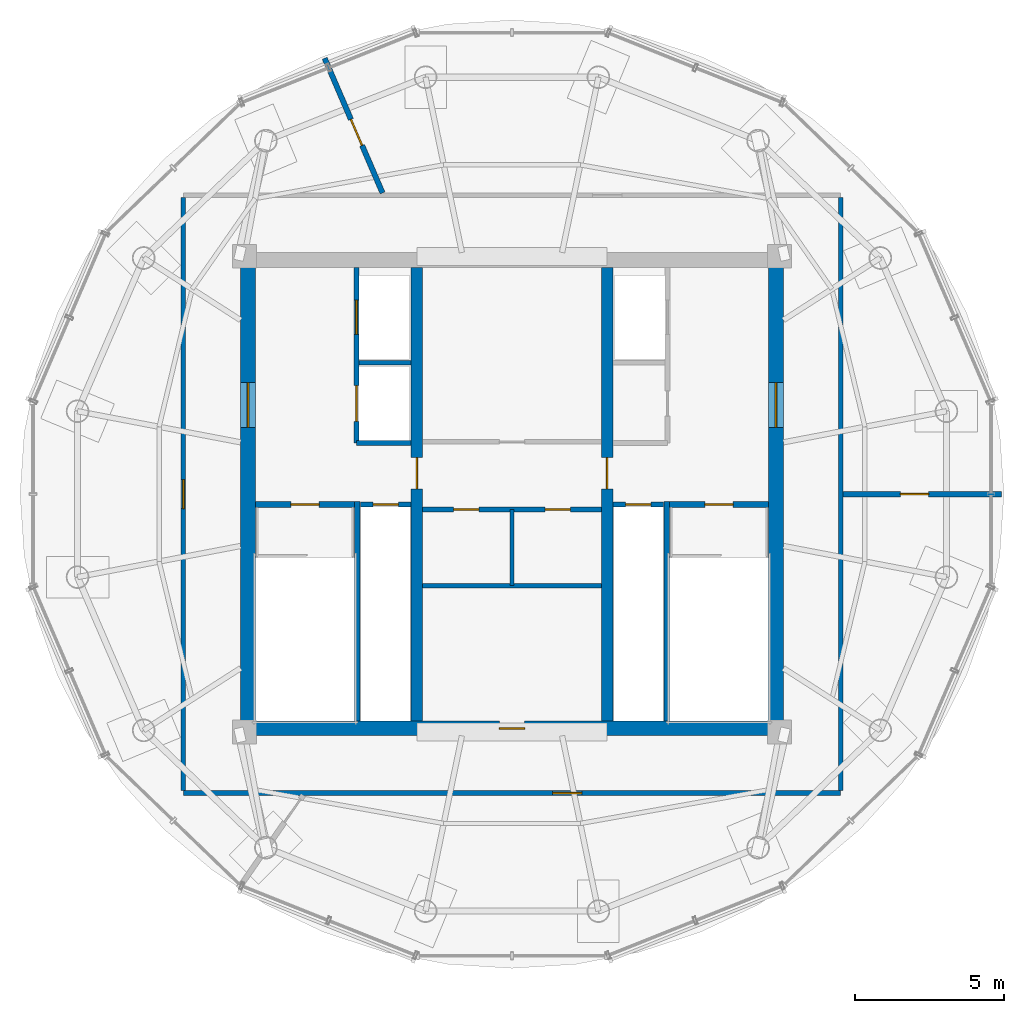
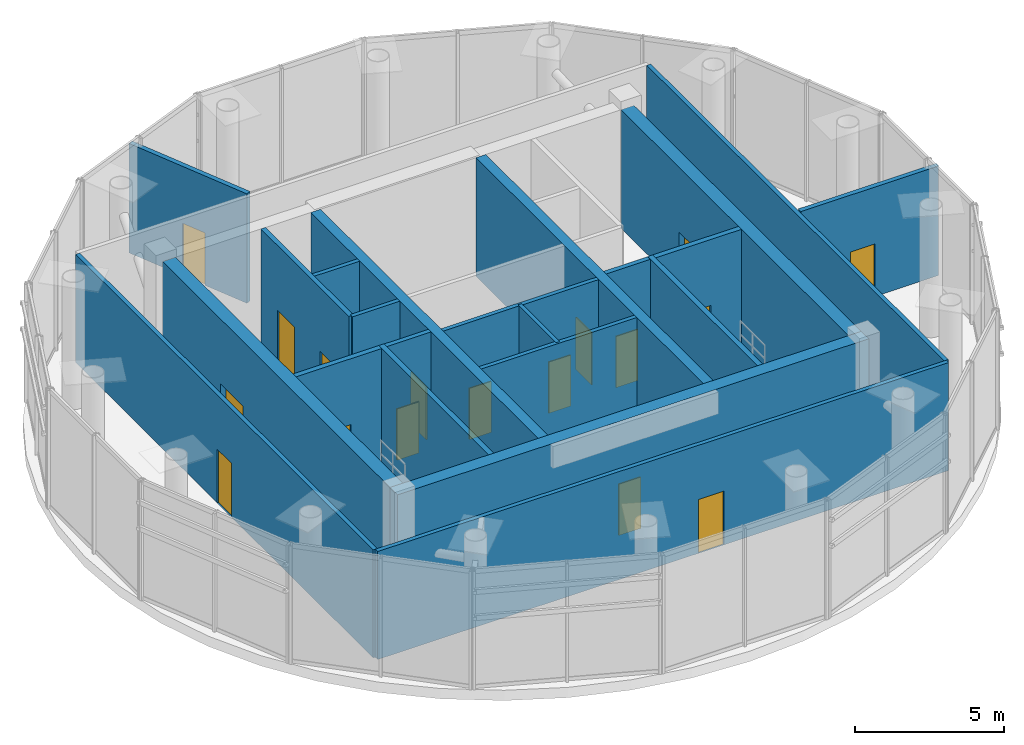
# One storey, part 11 of 13: 22 walls, 17 doors, 17 openings.
"""IFC4 building model written with IfcOpenShell, lengths in metres."""

from ifc_helpers import new_model, si_unit, direction, frame, frame_2d, origin, place, context, subcontext, project, spatial, rectangle, extrude, source, transform, mapped, material, layer, layer_set, type_object, element, fill, save


model = new_model("IFC4")

# Units and contexts
model_context = context("Model", 3, precision=1e-05, world=origin(), true_north=direction((-0.2419218956, 0.970295726276)))
body_context = subcontext(model_context, "Body", "Model", "MODEL_VIEW")
ifc_project = project(units=[si_unit("LENGTHUNIT", "METRE"), si_unit("AREAUNIT", "SQUARE_METRE"), si_unit("VOLUMEUNIT", "CUBIC_METRE"), si_unit("PLANEANGLEUNIT", "RADIAN"), si_unit("MASSUNIT", "GRAM", prefix="KILO")], contexts=[model_context])

# Site, building, storey
site_placement = place(None, origin())
site = spatial("IfcSite", under=ifc_project, at=site_placement, CompositionType="ELEMENT")
building_placement = place(site_placement, origin())
building = spatial("IfcBuilding", under=site, at=building_placement, Name="Cobrevalo Terracotta Tower", CompositionType="ELEMENT")
storey_placement = place(building_placement, frame((0.0, 0.0, 332.10009765625)))
storey = spatial("IfcBuildingStorey", under=building, at=storey_placement, Name="L85", CompositionType="ELEMENT", Elevation=332.10009765625)

# Wall, opening, door
ifc_material_1 = material(Name="Concrete C50", Category="concrete")
ifc_layer_1 = layer(ifc_material_1, 0.5)
ifc_layer_set_1 = layer_set([ifc_layer_1], Name="Concrete C50")
wall_type_1 = type_object("IfcWallType", Name="Crown core shear wall 500 mm Concrete C50", PredefinedType="SHEAR", material=ifc_layer_set_1)
wall_1_placement = place(storey_placement, frame((28.875, 18.925048828125, 0.0), z_axis=(0.0, 0.0, 1.0), x_axis=(1.0, 0.0, 0.0)))
wall_1 = element("IfcWall", 1, at=wall_1_placement, inside=storey, type_object=wall_type_1, Name="L85 south core shear wall", PredefinedType="SHEAR", context=body_context, shape_type="SweptSolid", body=[
    extrude(rectangle(XDim=18.25, YDim=0.5, at=frame_2d((9.125, 0.0))), origin(), (0.0, 0.0, 1.0), 4.849853515625),
])
opening_1_placement = place(wall_1_placement, frame((8.699951171875, 0.0, 0.0)))
opening_1 = element("IfcOpeningElement", 2, at=opening_1_placement, cuts=wall_1, Name="Opening ID-22", PredefinedType="OPENING", context=body_context, shape_type="SweptSolid", body=[
    extrude(rectangle(XDim=0.85009765625, YDim=2.10009765625, at=frame_2d((0.425048828125, 1.050048828125))), frame((0.0, 0.260009765625, 0.0), z_axis=(0.0, -1.0, 0.0), x_axis=(1.0, 0.0, 0.0)), (0.0, 0.0, 1.0), 0.52001953125),
])
ifc_material_2 = material(Name="Powder-coated steel", Category="steel")
door_type_1 = type_object("IfcDoorType", Name="Riser shaft & meter closet fire access door 850x2100 EI 60", OperationType="NOTDEFINED", PredefinedType="DOOR", material=ifc_material_2)
shared_shape_1 = source(origin(), body_context, "Body", "SweptSolid", [
    extrude(rectangle(XDim=0.85009765625, YDim=2.10009765625, at=frame_2d((0.425048828125, 1.050048828125))), frame((0.0, 0.02490234375, 0.0), z_axis=(0.0, -1.0, 0.0), x_axis=(1.0, 0.0, 0.0)), (0.0, 0.0, 1.0), 0.050048828125),
])
door_1_placement = place(opening_1_placement, origin())
door_1 = element("IfcDoor", 3, at=door_1_placement, inside=storey, type_object=door_type_1, Name="L85 core south plant door Crown Smoke Extract Fan Plant", OperationType="SINGLE_SWING_RIGHT", OverallHeight=2.10009765625, OverallWidth=0.85009765625, PredefinedType="DOOR", context=body_context, shape_type="MappedRepresentation", body=[
    mapped(shared_shape_1, transform((0.0, 0.0, 0.0), scale=1.0)),
])
fill(opening_1, door_1)

wall_2_placement = place(storey_placement, frame((29.125, 19.175048828125, 0.0), z_axis=(0.0, 0.0, 1.0), x_axis=(0.0, 1.0, 0.0)))
wall_2 = element("IfcWall", 4, at=wall_2_placement, inside=storey, type_object=wall_type_1, Name="L85 west core shear wall", PredefinedType="SHEAR", context=body_context, shape_type="SweptSolid", body=[
    extrude(rectangle(XDim=15.25, YDim=0.5, at=frame_2d((7.625, 0.0))), origin(), (0.0, 0.0, 1.0), 4.849853515625),
])
opening_2_placement = place(wall_2_placement, frame((9.875, 0.0, 0.0)))
opening_2 = element("IfcOpeningElement", 5, at=opening_2_placement, cuts=wall_2, Name="Opening ID-14", PredefinedType="OPENING", context=body_context, shape_type="SweptSolid", body=[
    extrude(rectangle(XDim=1.5, YDim=2.199951171875, at=frame_2d((0.75, 1.10009765625))), frame((0.0, 0.260009765625, 0.0), z_axis=(0.0, -1.0, 0.0), x_axis=(1.0, 0.0, 0.0)), (0.0, 0.0, 1.0), 0.52001953125),
])
ifc_material_3 = material(Name="Galvanized fire-rated steel", Category="steel")
door_type_2 = type_object("IfcDoorType", Name="Core cross-lobby double fire door 1500x2200 EI 90", OperationType="NOTDEFINED", PredefinedType="DOOR", material=ifc_material_3)
shared_shape_2 = source(origin(), body_context, "Body", "SweptSolid", [
    extrude(rectangle(XDim=1.5, YDim=2.199951171875, at=frame_2d((0.75, 1.10009765625))), frame((0.0, 0.02490234375, 0.0), z_axis=(0.0, -1.0, 0.0), x_axis=(1.0, 0.0, 0.0)), (0.0, 0.0, 1.0), 0.050048828125),
])
door_2_placement = place(opening_2_placement, origin())
door_2 = element("IfcDoor", 6, at=door_2_placement, inside=storey, type_object=door_type_2, Name="L85 west firefighting lobby entrance door", OperationType="DOUBLE_DOOR_SINGLE_SWING", OverallHeight=2.199951171875, OverallWidth=1.5, PredefinedType="DOOR", context=body_context, shape_type="MappedRepresentation", body=[
    mapped(shared_shape_2, transform((0.0, 0.0, 0.0), scale=1.0)),
])
fill(opening_2, door_2)

wall_3_placement = place(storey_placement, frame((46.875, 19.175048828125, 0.0), z_axis=(0.0, 0.0, 1.0), x_axis=(0.0, 1.0, 0.0)))
wall_3 = element("IfcWall", 7, at=wall_3_placement, inside=storey, type_object=wall_type_1, Name="L85 east core shear wall", PredefinedType="SHEAR", context=body_context, shape_type="SweptSolid", body=[
    extrude(rectangle(XDim=15.25, YDim=0.5, at=frame_2d((7.625, 0.0))), origin(), (0.0, 0.0, 1.0), 4.849853515625),
])
opening_3_placement = place(wall_3_placement, frame((9.875, 0.0, 0.0)))
opening_3 = element("IfcOpeningElement", 8, at=opening_3_placement, cuts=wall_3, Name="Opening ID-14", PredefinedType="OPENING", context=body_context, shape_type="SweptSolid", body=[
    extrude(rectangle(XDim=1.5, YDim=2.199951171875, at=frame_2d((0.75, 1.10009765625))), frame((0.0, 0.260009765625, 0.0), z_axis=(0.0, -1.0, 0.0), x_axis=(1.0, 0.0, 0.0)), (0.0, 0.0, 1.0), 0.52001953125),
])
door_3_placement = place(opening_3_placement, frame((1.5, 0.0, 0.0), z_axis=(0.0, 0.0, 1.0), x_axis=(-1.0, 0.0, 0.0)))
door_3 = element("IfcDoor", 9, at=door_3_placement, inside=storey, type_object=door_type_2, Name="L85 east firefighting lobby entrance door", OperationType="DOUBLE_DOOR_SINGLE_SWING", OverallHeight=2.199951171875, OverallWidth=1.5, PredefinedType="DOOR", context=body_context, shape_type="MappedRepresentation", body=[
    mapped(shared_shape_2, transform((0.0, 0.0, 0.0), scale=1.0)),
])
fill(opening_3, door_3)

# Walls
ifc_material_4 = material(Name="Gypsum board on steel stud", Category="steel")
ifc_layer_2 = layer(ifc_material_4, 0.159912109375)
ifc_layer_set_2 = layer_set([ifc_layer_2], Name="Gypsum board on steel stud")
wall_type_2 = type_object("IfcWallType", Name="Fire-rated corridor acoustic partition wall 160 mm", PredefinedType="PARTITIONING", material=ifc_layer_set_2)
wall_4_placement = place(storey_placement, frame((32.860107421875, 31.219970703125, 0.0), z_axis=(0.0, 0.0, 1.0), x_axis=(1.0, 0.0, 0.0)))
element("IfcWall", 10, at=wall_4_placement, inside=storey, type_object=wall_type_2, Name="L85 interior partition IW-L85-FF1-M", PredefinedType="PARTITIONING", context=body_context, shape_type="SweptSolid", body=[
    extrude(rectangle(XDim=1.75, YDim=0.159912109375, at=frame_2d((0.875, 0.0))), origin(), (0.0, 0.0, 1.0), 4.849853515625),
])
wall_5_placement = place(storey_placement, frame((32.77001953125, 28.52001953125, 0.0), z_axis=(0.0, 0.0, 1.0), x_axis=(1.0, 0.0, 0.0)))
element("IfcWall", 11, at=wall_5_placement, inside=storey, type_object=wall_type_2, Name="L85 interior partition IW-L85-FF1-S", PredefinedType="PARTITIONING", context=body_context, shape_type="SweptSolid", body=[
    extrude(rectangle(XDim=1.840087890625, YDim=0.159912109375, at=frame_2d((0.919921875, 0.0))), origin(), (0.0, 0.0, 1.0), 4.849853515625),
])

# Wall, openings, doors
wall_6_placement = place(storey_placement, frame((34.989990234375, 26.280029296875, 0.0), z_axis=(0.0, 0.0, 1.0), x_axis=(1.0, 0.0, 0.0)))
wall_6 = element("IfcWall", 12, at=wall_6_placement, inside=storey, type_object=wall_type_2, Name="L85 interior partition IW-L85-MB-N", PredefinedType="PARTITIONING", context=body_context, shape_type="SweptSolid", body=[
    extrude(rectangle(XDim=6.02001953125, YDim=0.159912109375, at=frame_2d((3.010009765625, 0.0))), origin(), (0.0, 0.0, 1.0), 4.849853515625),
])
opening_4_placement = place(wall_6_placement, frame((1.044921875, 0.0, 0.0)))
opening_4 = element("IfcOpeningElement", 13, at=opening_4_placement, cuts=wall_6, Name="Opening ID-22", PredefinedType="OPENING", context=body_context, shape_type="SweptSolid", body=[
    extrude(rectangle(XDim=0.85009765625, YDim=2.10009765625, at=frame_2d((0.425048828125, 1.050048828125))), frame((0.0, 0.08984375, 0.0), z_axis=(0.0, -1.0, 0.0), x_axis=(1.0, 0.0, 0.0)), (0.0, 0.0, 1.0), 0.179931640625),
])
opening_5_placement = place(wall_6_placement, frame((4.125, 0.0, 0.0)))
opening_5 = element("IfcOpeningElement", 14, at=opening_5_placement, cuts=wall_6, Name="Opening ID-22", PredefinedType="OPENING", context=body_context, shape_type="SweptSolid", body=[
    extrude(rectangle(XDim=0.85009765625, YDim=2.10009765625, at=frame_2d((0.425048828125, 1.050048828125))), frame((0.0, 0.08984375, 0.0), z_axis=(0.0, -1.0, 0.0), x_axis=(1.0, 0.0, 0.0)), (0.0, 0.0, 1.0), 0.179931640625),
])
door_4_placement = place(opening_4_placement, frame((0.85009765625, 0.0, 0.0), z_axis=(0.0, 0.0, 1.0), x_axis=(-1.0, 0.0, 0.0)))
door_4 = element("IfcDoor", 15, at=door_4_placement, inside=storey, type_object=door_type_1, Name="L85 core room door Crown Chilled Water Pump Plant", OperationType="SINGLE_SWING_RIGHT", OverallHeight=2.10009765625, OverallWidth=0.85009765625, PredefinedType="DOOR", context=body_context, shape_type="MappedRepresentation", body=[
    mapped(shared_shape_1, transform((0.0, 0.0, 0.0), scale=1.0)),
])
fill(opening_4, door_4)
door_5_placement = place(opening_5_placement, frame((0.85009765625, 0.0, 0.0), z_axis=(0.0, 0.0, 1.0), x_axis=(-1.0, 0.0, 0.0)))
door_5 = element("IfcDoor", 16, at=door_5_placement, inside=storey, type_object=door_type_1, Name="L85 core room door Crown Lift Motor Mechanical Plant", OperationType="SINGLE_SWING_RIGHT", OverallHeight=2.10009765625, OverallWidth=0.85009765625, PredefinedType="DOOR", context=body_context, shape_type="MappedRepresentation", body=[
    mapped(shared_shape_1, transform((0.0, 0.0, 0.0), scale=1.0)),
])
fill(opening_5, door_5)

# Wall
wall_7_placement = place(storey_placement, frame((34.989990234375, 23.719970703125, 0.0), z_axis=(0.0, 0.0, 1.0), x_axis=(1.0, 0.0, 0.0)))
element("IfcWall", 17, at=wall_7_placement, inside=storey, type_object=wall_type_2, Name="L85 interior partition IW-L85-MB-S", PredefinedType="PARTITIONING", context=body_context, shape_type="SweptSolid", body=[
    extrude(rectangle(XDim=6.02001953125, YDim=0.159912109375, at=frame_2d((3.010009765625, 0.0))), origin(), (0.0, 0.0, 1.0), 4.849853515625),
])

# Wall, opening, door
wall_8_placement = place(storey_placement, frame((26.945068359375, 16.7451171875, 0.0), z_axis=(0.0, 0.0, 1.0), x_axis=(1.0, 0.0, 0.0)))
wall_8 = element("IfcWall", 18, at=wall_8_placement, inside=storey, type_object=wall_type_2, Name="L85 interior partition IW-L85-COR-S", PredefinedType="PARTITIONING", context=body_context, shape_type="SweptSolid", body=[
    extrude(rectangle(XDim=22.10986328125, YDim=0.159912109375, at=frame_2d((11.054931640625, 0.0))), origin(), (0.0, 0.0, 1.0), 4.421875),
])
opening_6_placement = place(wall_8_placement, frame((12.42431640625, 0.0, 0.0)))
opening_6 = element("IfcOpeningElement", 19, at=opening_6_placement, cuts=wall_8, Name="Opening ID-05", PredefinedType="OPENING", context=body_context, shape_type="SweptSolid", body=[
    extrude(rectangle(XDim=0.97998046875, YDim=2.199951171875, at=frame_2d((0.489990234375, 1.10009765625))), frame((0.0, 0.08984375, 0.0), z_axis=(0.0, -1.0, 0.0), x_axis=(1.0, 0.0, 0.0)), (0.0, 0.0, 1.0), 0.179931640625),
])
ifc_material_5 = material(Name="Solid hardwood timber", Category="wood")
door_type_3 = type_object("IfcDoorType", Name="Residence entrance fire-rated acoustic timber door 980x2200 EI 60", OperationType="NOTDEFINED", PredefinedType="DOOR", material=ifc_material_5)
shared_shape_3 = source(origin(), body_context, "Body", "SweptSolid", [
    extrude(rectangle(XDim=0.97998046875, YDim=2.199951171875, at=frame_2d((0.489990234375, 1.10009765625))), frame((0.0, 0.02490234375, 0.0), z_axis=(0.0, -1.0, 0.0), x_axis=(1.0, 0.0, 0.0)), (0.0, 0.0, 1.0), 0.050048828125),
])
door_6_placement = place(opening_6_placement, origin())
door_6 = element("IfcDoor", 20, at=door_6_placement, inside=storey, type_object=door_type_3, Name="L85 Crown Lift Overrun Plant door", OperationType="SINGLE_SWING_RIGHT", OverallHeight=2.199951171875, OverallWidth=0.97998046875, PredefinedType="DOOR", context=body_context, shape_type="MappedRepresentation", body=[
    mapped(shared_shape_3, transform((0.0, 0.0, 0.0), scale=1.0)),
])
fill(opening_6, door_6)

wall_9_placement = place(storey_placement, frame((26.945068359375, 16.824951171875, 0.0), z_axis=(0.0, 0.0, 1.0), x_axis=(0.0, 1.0, 0.0)))
wall_9 = element("IfcWall", 21, at=wall_9_placement, inside=storey, type_object=wall_type_2, Name="L85 interior partition IW-L85-COR-W", PredefinedType="PARTITIONING", context=body_context, shape_type="SweptSolid", body=[
    extrude(rectangle(XDim=19.949951171875, YDim=0.159912109375, at=frame_2d((9.97509765625, 0.0))), origin(), (0.0, 0.0, 1.0), 4.421875),
])
opening_7_placement = place(wall_9_placement, frame((9.485107421875, 0.0, 0.0)))
opening_7 = element("IfcOpeningElement", 22, at=opening_7_placement, cuts=wall_9, Name="Opening ID-05", PredefinedType="OPENING", context=body_context, shape_type="SweptSolid", body=[
    extrude(rectangle(XDim=0.97998046875, YDim=2.199951171875, at=frame_2d((0.489990234375, 1.10009765625))), frame((0.0, 0.08984375, 0.0), z_axis=(0.0, -1.0, 0.0), x_axis=(1.0, 0.0, 0.0)), (0.0, 0.0, 1.0), 0.179931640625),
])
door_7_placement = place(opening_7_placement, origin())
door_7 = element("IfcDoor", 23, at=door_7_placement, inside=storey, type_object=door_type_3, Name="L85 Crown Boiler and Pump Plant door", OperationType="SINGLE_SWING_LEFT", OverallHeight=2.199951171875, OverallWidth=0.97998046875, PredefinedType="DOOR", context=body_context, shape_type="MappedRepresentation", body=[
    mapped(shared_shape_3, transform((0.0, 0.0, 0.0), scale=1.0)),
])
fill(opening_7, door_7)

# Wall
wall_10_placement = place(storey_placement, frame((49.054931640625, 16.824951171875, 0.0), z_axis=(0.0, 0.0, 1.0), x_axis=(0.0, 1.0, 0.0)))
element("IfcWall", 24, at=wall_10_placement, inside=storey, type_object=wall_type_2, Name="L85 interior partition IW-L85-COR-E", PredefinedType="PARTITIONING", context=body_context, shape_type="SweptSolid", body=[
    extrude(rectangle(XDim=19.949951171875, YDim=0.159912109375, at=frame_2d((9.97509765625, 0.0))), origin(), (0.0, 0.0, 1.0), 4.421875),
])

# Wall, opening, door
ifc_layer_3 = layer(ifc_material_4, 0.179931640625)
ifc_layer_set_3 = layer_set([ifc_layer_3], Name="Gypsum board on steel stud")
wall_type_3 = type_object("IfcWallType", Name="Fire-rated shaft & lobby acoustic partition wall 180 mm", PredefinedType="PARTITIONING", material=ifc_layer_set_3)
wall_11_placement = place(storey_placement, frame((32.89990234375, 26.449951171875, 0.0), z_axis=(0.0, 0.0, 1.0), x_axis=(1.0, 0.0, 0.0)))
wall_11 = element("IfcWall", 25, at=wall_11_placement, inside=storey, type_object=wall_type_3, Name="L85 interior partition IW-L85-RSW-N", PredefinedType="PARTITIONING", context=body_context, shape_type="SweptSolid", body=[
    extrude(rectangle(XDim=1.710205078125, YDim=0.179931640625, at=frame_2d((0.85498046875, 0.0))), origin(), (0.0, 0.0, 1.0), 4.849853515625),
])
opening_8_placement = place(wall_11_placement, frame((0.429931640625, 0.0, 0.0)))
opening_8 = element("IfcOpeningElement", 26, at=opening_8_placement, cuts=wall_11, Name="Opening ID-22", PredefinedType="OPENING", context=body_context, shape_type="SweptSolid", body=[
    extrude(rectangle(XDim=0.85009765625, YDim=2.10009765625, at=frame_2d((0.425048828125, 1.050048828125))), frame((0.0, 0.10009765625, 0.0), z_axis=(0.0, -1.0, 0.0), x_axis=(1.0, 0.0, 0.0)), (0.0, 0.0, 1.0), 0.199951171875),
])
door_8_placement = place(opening_8_placement, origin())
door_8 = element("IfcDoor", 27, at=door_8_placement, inside=storey, type_object=door_type_1, Name="L85 riser access door RSW", OperationType="SINGLE_SWING_LEFT", OverallHeight=2.10009765625, OverallWidth=0.85009765625, PredefinedType="DOOR", context=body_context, shape_type="MappedRepresentation", body=[
    mapped(shared_shape_1, transform((0.0, 0.0, 0.0), scale=1.0)),
])
fill(opening_8, door_8)

wall_12_placement = place(storey_placement, frame((41.389892578125, 26.449951171875, 0.0), z_axis=(0.0, 0.0, 1.0), x_axis=(1.0, 0.0, 0.0)))
wall_12 = element("IfcWall", 28, at=wall_12_placement, inside=storey, type_object=wall_type_3, Name="L85 interior partition IW-L85-RSE-N", PredefinedType="PARTITIONING", context=body_context, shape_type="SweptSolid", body=[
    extrude(rectangle(XDim=1.710205078125, YDim=0.179931640625, at=frame_2d((0.85498046875, 0.0))), origin(), (0.0, 0.0, 1.0), 4.849853515625),
])
opening_9_placement = place(wall_12_placement, frame((0.429931640625, 0.0, 0.0)))
opening_9 = element("IfcOpeningElement", 29, at=opening_9_placement, cuts=wall_12, Name="Opening ID-22", PredefinedType="OPENING", context=body_context, shape_type="SweptSolid", body=[
    extrude(rectangle(XDim=0.85009765625, YDim=2.10009765625, at=frame_2d((0.425048828125, 1.050048828125))), frame((0.0, 0.10009765625, 0.0), z_axis=(0.0, -1.0, 0.0), x_axis=(1.0, 0.0, 0.0)), (0.0, 0.0, 1.0), 0.199951171875),
])
door_9_placement = place(opening_9_placement, origin())
door_9 = element("IfcDoor", 30, at=door_9_placement, inside=storey, type_object=door_type_1, Name="L85 riser access door RSE", OperationType="SINGLE_SWING_RIGHT", OverallHeight=2.10009765625, OverallWidth=0.85009765625, PredefinedType="DOOR", context=body_context, shape_type="MappedRepresentation", body=[
    mapped(shared_shape_1, transform((0.0, 0.0, 0.0), scale=1.0)),
])
fill(opening_9, door_9)

# Wall, openings, doors
wall_13_placement = place(storey_placement, frame((32.77001953125, 28.52001953125, 0.0), z_axis=(0.0, 0.0, 1.0), x_axis=(0.0, 1.0, 0.0)))
wall_13 = element("IfcWall", 31, at=wall_13_placement, inside=storey, type_object=wall_type_3, Name="L85 interior partition IW-L85-FF1-W", PredefinedType="PARTITIONING", context=body_context, shape_type="SweptSolid", body=[
    extrude(rectangle(XDim=5.905029296875, YDim=0.179931640625, at=frame_2d((2.95263671875, 0.0))), origin(), (0.0, 0.0, 1.0), 4.849853515625),
])
opening_10_placement = place(wall_13_placement, frame((3.655029296875, 0.0, 0.0)))
opening_10 = element("IfcOpeningElement", 32, at=opening_10_placement, cuts=wall_13, Name="Opening LD-02", PredefinedType="OPENING", context=body_context, shape_type="SweptSolid", body=[
    extrude(rectangle(XDim=1.14990234375, YDim=2.199951171875, at=frame_2d((0.574951171875, 1.10009765625))), frame((0.0, 0.10009765625, 0.0), z_axis=(0.0, -1.0, 0.0), x_axis=(1.0, 0.0, 0.0)), (0.0, 0.0, 1.0), 0.199951171875),
])
opening_11_placement = place(wall_13_placement, frame((0.72998046875, 0.0, 0.0)))
opening_11 = element("IfcOpeningElement", 33, at=opening_11_placement, cuts=wall_13, Name="Opening LD-03", PredefinedType="OPENING", context=body_context, shape_type="SweptSolid", body=[
    extrude(rectangle(XDim=1.199951171875, YDim=2.25, at=frame_2d((0.60009765625, 1.125))), frame((0.0, 0.10009765625, 0.0), z_axis=(0.0, -1.0, 0.0), x_axis=(1.0, 0.0, 0.0)), (0.0, 0.0, 1.0), 0.199951171875),
])
ifc_material_6 = material(Name="Brushed stainless steel", Category="steel")
door_type_4 = type_object("IfcDoorType", Name="Firefighting lift landing bi-parting sliding door 1150x2200 EI 120", OperationType="DOUBLE_DOOR_SLIDING", PredefinedType="DOOR", material=ifc_material_6)
shared_shape_4 = source(origin(), body_context, "Body", "SweptSolid", [
    extrude(rectangle(XDim=1.14990234375, YDim=2.199951171875, at=frame_2d((0.574951171875, 1.10009765625))), frame((0.0, 0.02490234375, 0.0), z_axis=(0.0, -1.0, 0.0), x_axis=(1.0, 0.0, 0.0)), (0.0, 0.0, 1.0), 0.050048828125),
])
door_10_placement = place(opening_10_placement, origin())
door_10 = element("IfcDoor", 34, at=door_10_placement, inside=storey, type_object=door_type_4, Name="L85 lift landing door FF-1", OperationType="DOUBLE_DOOR_SLIDING", OverallHeight=2.199951171875, OverallWidth=1.14990234375, PredefinedType="DOOR", context=body_context, shape_type="MappedRepresentation", body=[
    mapped(shared_shape_4, transform((0.0, 0.0, 0.0), scale=1.0)),
])
fill(opening_10, door_10)
door_type_5 = type_object("IfcDoorType", Name="Service lift landing bi-parting sliding door 1200x2250 EI 120", OperationType="DOUBLE_DOOR_SLIDING", PredefinedType="DOOR", material=ifc_material_6)
shared_shape_5 = source(origin(), body_context, "Body", "SweptSolid", [
    extrude(rectangle(XDim=1.199951171875, YDim=2.25, at=frame_2d((0.60009765625, 1.125))), frame((0.0, 0.02490234375, 0.0), z_axis=(0.0, -1.0, 0.0), x_axis=(1.0, 0.0, 0.0)), (0.0, 0.0, 1.0), 0.050048828125),
])
door_11_placement = place(opening_11_placement, origin())
door_11 = element("IfcDoor", 35, at=door_11_placement, inside=storey, type_object=door_type_5, Name="L85 lift landing door SV-1", OperationType="DOUBLE_DOOR_SLIDING", OverallHeight=2.25, OverallWidth=1.199951171875, PredefinedType="DOOR", context=body_context, shape_type="MappedRepresentation", body=[
    mapped(shared_shape_5, transform((0.0, 0.0, 0.0), scale=1.0)),
])
fill(opening_11, door_11)

# Wall, opening, door
wall_14_placement = place(storey_placement, frame((49.136962890625, 26.800048828125, 0.0), z_axis=(0.0, 0.0, 1.0), x_axis=(1.0, 0.0, 0.0)))
wall_14 = element("IfcWall", 36, at=wall_14_placement, inside=storey, type_object=wall_type_3, Name="L85 interior partition IW-L85-CW1", PredefinedType="PARTITIONING", context=body_context, shape_type="SweptSolid", body=[
    extrude(rectangle(XDim=5.3330078125, YDim=0.179931640625, at=frame_2d((2.66650390625, 0.0))), origin(), (0.0, 0.0, 1.0), 4.48095703125),
])
opening_12_placement = place(wall_14_placement, frame((1.9248046875, 0.0, 0.0)))
opening_12 = element("IfcOpeningElement", 37, at=opening_12_placement, cuts=wall_14, Name="Opening ID-04", PredefinedType="OPENING", context=body_context, shape_type="SweptSolid", body=[
    extrude(rectangle(XDim=0.949951171875, YDim=2.14990234375, at=frame_2d((0.47509765625, 1.074951171875))), frame((0.0, 0.10009765625, 0.0), z_axis=(0.0, -1.0, 0.0), x_axis=(1.0, 0.0, 0.0)), (0.0, 0.0, 1.0), 0.199951171875),
])
door_type_6 = type_object("IfcDoorType", Name="Stair & firefighting lobby fire door 950x2150 EI 90", OperationType="NOTDEFINED", PredefinedType="DOOR", material=ifc_material_3)
shared_shape_6 = source(origin(), body_context, "Body", "SweptSolid", [
    extrude(rectangle(XDim=0.949951171875, YDim=2.14990234375, at=frame_2d((0.47509765625, 1.074951171875))), frame((0.0, 0.02490234375, 0.0), z_axis=(0.0, -1.0, 0.0), x_axis=(1.0, 0.0, 0.0)), (0.0, 0.0, 1.0), 0.050048828125),
])
door_12_placement = place(opening_12_placement, origin())
door_12 = element("IfcDoor", 38, at=door_12_placement, inside=storey, type_object=door_type_6, Name="L85 crown plant interconnecting fire door 1", OperationType="SINGLE_SWING_LEFT", OverallHeight=2.14990234375, OverallWidth=0.949951171875, PredefinedType="DOOR", context=body_context, shape_type="MappedRepresentation", body=[
    mapped(shared_shape_6, transform((0.0, 0.0, 0.0), scale=1.0)),
])
fill(opening_12, door_12)

wall_15_placement = place(storey_placement, frame((33.645263671875, 36.931884765625, 0.0), z_axis=(0.0, 0.0, 1.0), x_axis=(-0.394839297391, 0.918750199584, 0.0)))
wall_15 = element("IfcWall", 39, at=wall_15_placement, inside=storey, type_object=wall_type_3, Name="L85 interior partition IW-L85-CW2", PredefinedType="PARTITIONING", context=body_context, shape_type="SweptSolid", body=[
    extrude(rectangle(XDim=4.93115234375, YDim=0.179931640625, at=frame_2d((2.465576171875, 0.0))), origin(), (0.0, 0.0, 1.0), 4.48095703125),
])
opening_13_placement = place(wall_15_placement, frame((1.743896484375, 0.0, 0.0)))
opening_13 = element("IfcOpeningElement", 40, at=opening_13_placement, cuts=wall_15, Name="Opening ID-04", PredefinedType="OPENING", context=body_context, shape_type="SweptSolid", body=[
    extrude(rectangle(XDim=0.949951171875, YDim=2.14990234375, at=frame_2d((0.47509765625, 1.074951171875))), frame((0.0, 0.10009765625, 0.0), z_axis=(0.0, -1.0, 0.0), x_axis=(1.0, 0.0, 0.0)), (0.0, 0.0, 1.0), 0.199951171875),
])
door_13_placement = place(opening_13_placement, origin())
door_13 = element("IfcDoor", 41, at=door_13_placement, inside=storey, type_object=door_type_6, Name="L85 crown plant interconnecting fire door 2", OperationType="SINGLE_SWING_LEFT", OverallHeight=2.14990234375, OverallWidth=0.949951171875, PredefinedType="DOOR", context=body_context, shape_type="MappedRepresentation", body=[
    mapped(shared_shape_6, transform((0.0, 0.0, 0.0), scale=1.0)),
])
fill(opening_13, door_13)

ifc_layer_4 = layer(ifc_material_1, 0.3798828125)
ifc_layer_set_4 = layer_set([ifc_layer_4], Name="Concrete C50")
wall_type_4 = type_object("IfcWallType", Name="Internal core shear web wall 380 mm Concrete C50", PredefinedType="SHEAR", material=ifc_layer_set_4)
wall_16_placement = place(storey_placement, frame((34.800048828125, 19.175048828125, 0.0), z_axis=(0.0, 0.0, 1.0), x_axis=(0.0, 1.0, 0.0)))
wall_16 = element("IfcWall", 42, at=wall_16_placement, inside=storey, type_object=wall_type_4, Name="L85 internal core shear wall WEB-W", PredefinedType="SHEAR", context=body_context, shape_type="SweptSolid", body=[
    extrude(rectangle(XDim=15.25, YDim=0.3798828125, at=frame_2d((7.625, 0.0))), origin(), (0.0, 0.0, 1.0), 4.849853515625),
])
opening_14_placement = place(wall_16_placement, frame((7.800048828125, 0.0, 0.0)))
opening_14 = element("IfcOpeningElement", 43, at=opening_14_placement, cuts=wall_16, Name="Opening ID-11", PredefinedType="OPENING", context=body_context, shape_type="SweptSolid", body=[
    extrude(rectangle(XDim=1.050048828125, YDim=2.14990234375, at=frame_2d((0.52490234375, 1.074951171875))), frame((0.0, 0.199951171875, 0.0), z_axis=(0.0, -1.0, 0.0), x_axis=(1.0, 0.0, 0.0)), (0.0, 0.0, 1.0), 0.39990234375),
])
door_type_7 = type_object("IfcDoorType", Name="Core concourse cross fire door 1050x2150 EI 90", OperationType="NOTDEFINED", PredefinedType="DOOR", material=ifc_material_3)
shared_shape_7 = source(origin(), body_context, "Body", "SweptSolid", [
    extrude(rectangle(XDim=1.050048828125, YDim=2.14990234375, at=frame_2d((0.52490234375, 1.074951171875))), frame((0.0, 0.02490234375, 0.0), z_axis=(0.0, -1.0, 0.0), x_axis=(1.0, 0.0, 0.0)), (0.0, 0.0, 1.0), 0.050048828125),
])
door_14_placement = place(opening_14_placement, origin())
door_14 = element("IfcDoor", 44, at=door_14_placement, inside=storey, type_object=door_type_7, Name="L85 west core concourse cross door", OperationType="SINGLE_SWING_LEFT", OverallHeight=2.14990234375, OverallWidth=1.050048828125, PredefinedType="DOOR", context=body_context, shape_type="MappedRepresentation", body=[
    mapped(shared_shape_7, transform((0.0, 0.0, 0.0), scale=1.0)),
])
fill(opening_14, door_14)

wall_17_placement = place(storey_placement, frame((41.199951171875, 19.175048828125, 0.0), z_axis=(0.0, 0.0, 1.0), x_axis=(0.0, 1.0, 0.0)))
wall_17 = element("IfcWall", 45, at=wall_17_placement, inside=storey, type_object=wall_type_4, Name="L85 internal core shear wall WEB-E", PredefinedType="SHEAR", context=body_context, shape_type="SweptSolid", body=[
    extrude(rectangle(XDim=15.25, YDim=0.3798828125, at=frame_2d((7.625, 0.0))), origin(), (0.0, 0.0, 1.0), 4.849853515625),
])
opening_15_placement = place(wall_17_placement, frame((7.800048828125, 0.0, 0.0)))
opening_15 = element("IfcOpeningElement", 46, at=opening_15_placement, cuts=wall_17, Name="Opening ID-11", PredefinedType="OPENING", context=body_context, shape_type="SweptSolid", body=[
    extrude(rectangle(XDim=1.050048828125, YDim=2.14990234375, at=frame_2d((0.52490234375, 1.074951171875))), frame((0.0, 0.199951171875, 0.0), z_axis=(0.0, -1.0, 0.0), x_axis=(1.0, 0.0, 0.0)), (0.0, 0.0, 1.0), 0.39990234375),
])
door_15_placement = place(opening_15_placement, frame((1.050048828125, 0.0, 0.0), z_axis=(0.0, 0.0, 1.0), x_axis=(-1.0, 0.0, 0.0)))
door_15 = element("IfcDoor", 47, at=door_15_placement, inside=storey, type_object=door_type_7, Name="L85 east core concourse cross door", OperationType="SINGLE_SWING_RIGHT", OverallHeight=2.14990234375, OverallWidth=1.050048828125, PredefinedType="DOOR", context=body_context, shape_type="MappedRepresentation", body=[
    mapped(shared_shape_7, transform((0.0, 0.0, 0.0), scale=1.0)),
])
fill(opening_15, door_15)

# Walls
ifc_material_7 = material(Name="Autoclaved aerated concrete block", Category="concrete")
ifc_layer_5 = layer(ifc_material_7, 0.139892578125)
ifc_layer_set_5 = layer_set([ifc_layer_5], Name="Autoclaved aerated concrete block")
wall_type_5 = type_object("IfcWallType", Name="Moisture-resistant wet-room & core service partition 140 mm", PredefinedType="PARTITIONING", material=ifc_layer_set_5)
wall_18_placement = place(storey_placement, frame((38.0, 23.719970703125, 0.0), z_axis=(0.0, 0.0, 1.0), x_axis=(0.0, 1.0, 0.0)))
element("IfcWall", 48, at=wall_18_placement, inside=storey, type_object=wall_type_5, Name="L85 interior partition IW-L85-MB-D2", PredefinedType="PARTITIONING", context=body_context, shape_type="SweptSolid", body=[
    extrude(rectangle(XDim=2.56005859375, YDim=0.139892578125, at=frame_2d((1.280029296875, 0.0))), origin(), (0.0, 0.0, 1.0), 4.849853515625),
])
ifc_layer_6 = layer(ifc_material_1, 0.199951171875)
ifc_layer_set_6 = layer_set([ifc_layer_6], Name="Concrete C50")
wall_type_6 = type_object("IfcWallType", Name="Structural core & podium stair-shaft RC wall 200 mm Concrete C50", PredefinedType="SOLIDWALL", material=ifc_layer_set_6)
wall_19_placement = place(storey_placement, frame((32.794921875, 19.175048828125, 0.0), z_axis=(0.0, 0.0, 1.0), x_axis=(0.0, 1.0, 0.0)))
element("IfcWall", 49, at=wall_19_placement, inside=storey, type_object=wall_type_6, Name="L85 ST-1 east structural shaft wall", PredefinedType="SOLIDWALL", context=body_context, shape_type="SweptSolid", body=[
    extrude(rectangle(XDim=7.375, YDim=0.199951171875, at=frame_2d((3.6875, 0.0))), origin(), (0.0, 0.0, 1.0), 4.849853515625),
])

# Wall, opening, door
wall_20_placement = place(storey_placement, frame((29.375, 26.449951171875, 0.0), z_axis=(0.0, 0.0, 1.0), x_axis=(1.0, 0.0, 0.0)))
wall_20 = element("IfcWall", 50, at=wall_20_placement, inside=storey, type_object=wall_type_6, Name="L85 ST-1 north structural shaft wall", PredefinedType="SOLIDWALL", context=body_context, shape_type="SweptSolid", body=[
    extrude(rectangle(XDim=3.320068359375, YDim=0.199951171875, at=frame_2d((1.66015625, 0.0))), origin(), (0.0, 0.0, 1.0), 4.849853515625),
])
opening_16_placement = place(wall_20_placement, frame((1.18505859375, 0.0, 0.0)))
opening_16 = element("IfcOpeningElement", 51, at=opening_16_placement, cuts=wall_20, Name="Opening ID-04", PredefinedType="OPENING", context=body_context, shape_type="SweptSolid", body=[
    extrude(rectangle(XDim=0.949951171875, YDim=2.14990234375, at=frame_2d((0.47509765625, 1.074951171875))), frame((0.0, 0.10986328125, 0.0), z_axis=(0.0, -1.0, 0.0), x_axis=(1.0, 0.0, 0.0)), (0.0, 0.0, 1.0), 0.219970703125),
])
door_16_placement = place(opening_16_placement, origin())
door_16 = element("IfcDoor", 52, at=door_16_placement, inside=storey, type_object=door_type_6, Name="L85 protected stair ST1 fire door", OperationType="SINGLE_SWING_LEFT", OverallHeight=2.14990234375, OverallWidth=0.949951171875, PredefinedType="DOOR", context=body_context, shape_type="MappedRepresentation", body=[
    mapped(shared_shape_6, transform((0.0, 0.0, 0.0), scale=1.0)),
])
fill(opening_16, door_16)

# Wall
wall_21_placement = place(storey_placement, frame((43.205078125, 19.175048828125, 0.0), z_axis=(0.0, 0.0, 1.0), x_axis=(0.0, 1.0, 0.0)))
element("IfcWall", 53, at=wall_21_placement, inside=storey, type_object=wall_type_6, Name="L85 ST-2 west structural shaft wall", PredefinedType="SOLIDWALL", context=body_context, shape_type="SweptSolid", body=[
    extrude(rectangle(XDim=7.375, YDim=0.199951171875, at=frame_2d((3.6875, 0.0))), origin(), (0.0, 0.0, 1.0), 4.849853515625),
])

# Wall, opening, door
wall_22_placement = place(storey_placement, frame((43.304931640625, 26.449951171875, 0.0), z_axis=(0.0, 0.0, 1.0), x_axis=(1.0, 0.0, 0.0)))
wall_22 = element("IfcWall", 54, at=wall_22_placement, inside=storey, type_object=wall_type_6, Name="L85 ST-2 north structural shaft wall", PredefinedType="SOLIDWALL", context=body_context, shape_type="SweptSolid", body=[
    extrude(rectangle(XDim=3.320068359375, YDim=0.199951171875, at=frame_2d((1.66015625, 0.0))), origin(), (0.0, 0.0, 1.0), 4.849853515625),
])
opening_17_placement = place(wall_22_placement, frame((1.18505859375, 0.0, 0.0)))
opening_17 = element("IfcOpeningElement", 55, at=opening_17_placement, cuts=wall_22, Name="Opening ID-04", PredefinedType="OPENING", context=body_context, shape_type="SweptSolid", body=[
    extrude(rectangle(XDim=0.949951171875, YDim=2.14990234375, at=frame_2d((0.47509765625, 1.074951171875))), frame((0.0, 0.10986328125, 0.0), z_axis=(0.0, -1.0, 0.0), x_axis=(1.0, 0.0, 0.0)), (0.0, 0.0, 1.0), 0.219970703125),
])
door_17_placement = place(opening_17_placement, frame((0.949951171875, 0.0, 0.0), z_axis=(0.0, 0.0, 1.0), x_axis=(-1.0, 0.0, 0.0)))
door_17 = element("IfcDoor", 56, at=door_17_placement, inside=storey, type_object=door_type_6, Name="L85 protected stair ST2 fire door", OperationType="SINGLE_SWING_RIGHT", OverallHeight=2.14990234375, OverallWidth=0.949951171875, PredefinedType="DOOR", context=body_context, shape_type="MappedRepresentation", body=[
    mapped(shared_shape_6, transform((0.0, 0.0, 0.0), scale=1.0)),
])
fill(opening_17, door_17)

save(model, "model.ifc")
